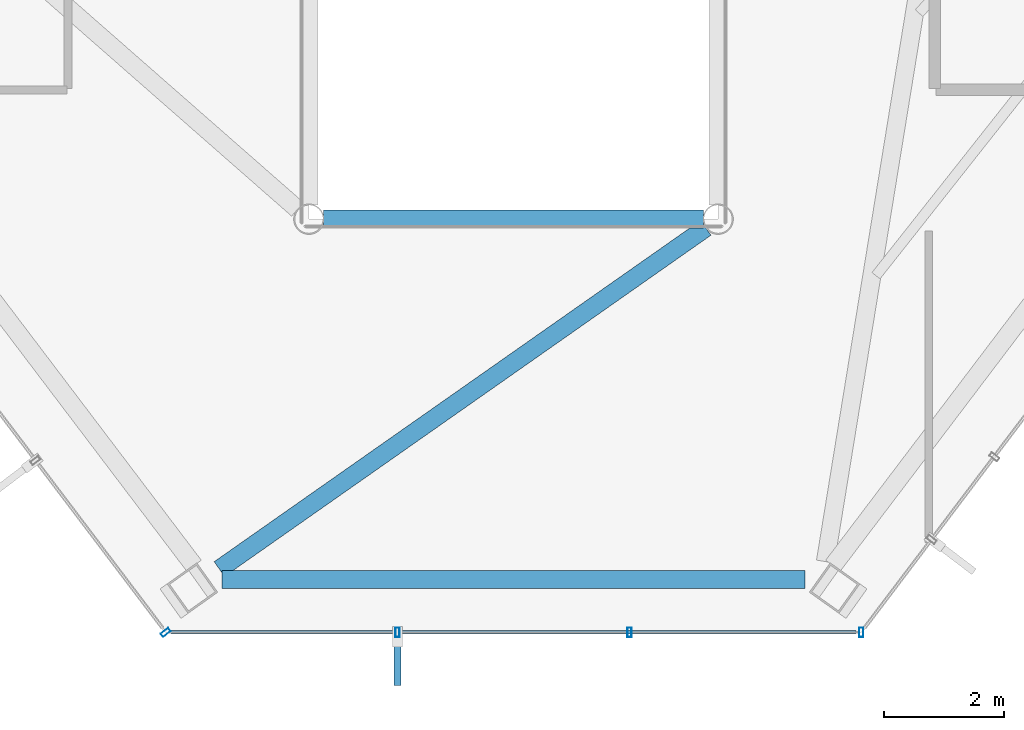
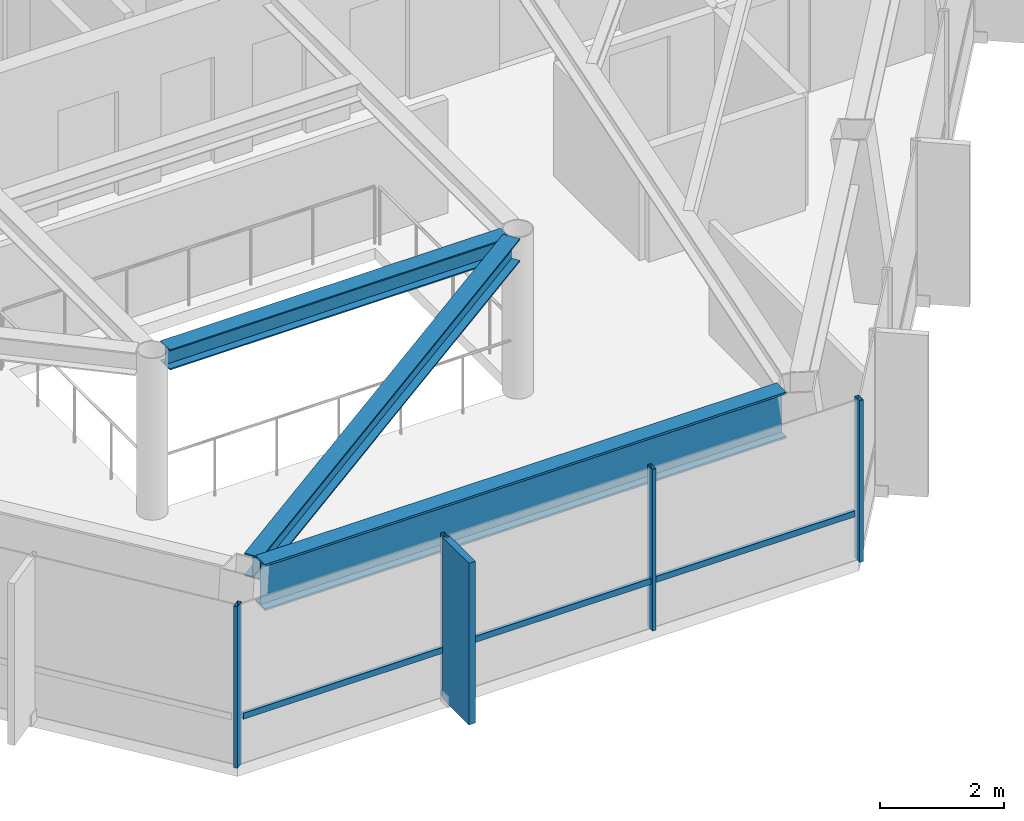
# One storey, part 7 of 27: 6 members, 3 beams, 2 elements without a shape of their own.
"""IFC4 building model written with IfcOpenShell, lengths in metres."""

from ifc_helpers import new_model, si_unit, direction, frame, origin, origin_2d, place, context, subcontext, project, spatial, rectangle, hollow_rectangle, i_section, extrude, material, layer, layer_set, material_profile, profile_set, type_object, element, aggregate, save


model = new_model("IFC4")

# Units and contexts
model_context = context("Model", 3, precision=1e-05, world=origin(), true_north=direction((0.0, 1.0)))
body_context = subcontext(model_context, "Body", "Model", "MODEL_VIEW")
ifc_project = project(units=[si_unit("LENGTHUNIT", "METRE"), si_unit("AREAUNIT", "SQUARE_METRE"), si_unit("VOLUMEUNIT", "CUBIC_METRE"), si_unit("PLANEANGLEUNIT", "RADIAN"), si_unit("MASSUNIT", "GRAM", prefix="KILO")], contexts=[model_context])

# Site, building, storey
site_placement = place(None, origin())
site = spatial("IfcSite", under=ifc_project, at=site_placement, CompositionType="ELEMENT")
building_placement = place(site_placement, origin())
building = spatial("IfcBuilding", under=site, at=building_placement, Name="Zarrinselat Tower", CompositionType="ELEMENT")
storey_placement = place(building_placement, frame((0.0, 0.0, 235.9599609375)))
storey = spatial("IfcBuildingStorey", under=building, at=storey_placement, Name="L59", CompositionType="ELEMENT", Elevation=235.9599609375)

# Beams
ifc_material_1 = material(Name="Steel S355J2", Category="steel")
ifc_material_profile_1 = material_profile(ifc_material_1, i_section(OverallWidth=0.300048828125, OverallDepth=0.39990234375, WebThickness=0.013427734375, FlangeThickness=0.02392578125, at=origin_2d()), Name="HEB 400")
ifc_profile_set_1 = profile_set([ifc_material_profile_1], Name="Steel S355J2")
beam_type_1 = type_object("IfcBeamType", Name="BM-HEB400", PredefinedType="BEAM", material=ifc_profile_set_1)
beam_1_placement = place(storey_placement, frame((35.239990234375, 25.199951171875, 2.97998046875), z_axis=(1.0, 0.0, 0.0), x_axis=(0.0, 1.0, 0.0)))
element("IfcBeam", 1, at=beam_1_placement, inside=storey, type_object=beam_type_1, Name="L59 Atrium Edge Beam S", PredefinedType="BEAM", context=body_context, shape_type="SweptSolid", body=[
    extrude(i_section(OverallWidth=0.300048828125, OverallDepth=0.39990234375, WebThickness=0.013427734375, FlangeThickness=0.02392578125, at=origin_2d()), origin(), (0.0, 0.0, 1.0), 6.320068359375),
])
ifc_material_2 = material(Name="Steel S355J2", Category="steel")
ifc_material_profile_2 = material_profile(ifc_material_2, i_section(OverallWidth=0.300048828125, OverallDepth=0.449951171875, WebThickness=0.013916015625, FlangeThickness=0.02587890625, at=origin_2d()), Name="HEB 450")
ifc_profile_set_2 = profile_set([ifc_material_profile_2], Name="Steel S355J2")
beam_type_2 = type_object("IfcBeamType", Name="BM-HEB450", PredefinedType="BEAM", material=ifc_profile_set_2)
beam_2_placement = place(storey_placement, frame((33.511962890625, 19.385986328125, 2.955078125), z_axis=(0.818654177418, 0.574286807959, 0.0), x_axis=(-0.574286807959, 0.818654177418, 0.0)))
element("IfcBeam", 2, at=beam_2_placement, inside=storey, type_object=beam_type_2, Name="L59 Radial Primary Girder RG10", PredefinedType="BEAM", context=body_context, shape_type="SweptSolid", body=[
    extrude(i_section(OverallWidth=0.300048828125, OverallDepth=0.449951171875, WebThickness=0.013916015625, FlangeThickness=0.02587890625, at=origin_2d()), origin(), (0.0, 0.0, 1.0), 9.873779296875),
])
ifc_material_3 = material(Name="Steel S460M", Category="steel")
ifc_material_profile_3 = material_profile(ifc_material_3, i_section(OverallWidth=0.302001953125, OverallDepth=0.909912109375, WebThickness=0.02099609375, FlangeThickness=0.0400390625, at=origin_2d()), Name="HEM 900")
ifc_profile_set_3 = profile_set([ifc_material_profile_3], Name="Steel S460M")
beam_type_3 = type_object("IfcBeamType", Name="BM-HEM900", PredefinedType="BEAM", material=ifc_profile_set_3)
beam_3_placement = place(storey_placement, frame((33.552734375, 19.212646484375, 2.72509765625), z_axis=(1.0, 0.0, 0.0), x_axis=(0.0, 1.0, 0.0)))
element("IfcBeam", 3, at=beam_3_placement, inside=storey, type_object=beam_type_3, Name="L59 Perimeter Spandrel Girder SP10", PredefinedType="BEAM", context=body_context, shape_type="SweptSolid", body=[
    extrude(i_section(OverallWidth=0.302001953125, OverallDepth=0.909912109375, WebThickness=0.02099609375, FlangeThickness=0.0400390625, at=origin_2d()), origin(), (0.0, 0.0, 1.0), 9.694580078125),
])

# Curtain wall, member
ifc_material_4 = material(Name="Extruded Aluminium Alloy EN AW-6063 T6", Category="aluminium")
ifc_layer = layer(ifc_material_4, 0.169921875)
ifc_layer_set = layer_set([ifc_layer], Name="Extruded Aluminium Alloy EN AW-6063 T6")
curtain_wall_type = type_object("IfcCurtainWallType", Name="CWS-RES", PredefinedType="NOTDEFINED", material=ifc_layer_set)
curtain_wall_1_placement = place(storey_placement, origin())
curtain_wall_1 = element("IfcCurtainWall", 4, at=curtain_wall_1_placement, inside=storey, type_object=curtain_wall_type, Name="L59 Unitised Curtain Wall CW-L59-E03", PredefinedType="NOTDEFINED")
ifc_material_5 = material(Name="Extruded Aluminium Alloy EN AW-6063 T6", Category="aluminium")
ifc_material_profile_4 = material_profile(ifc_material_5, hollow_rectangle(XDim=0.070068359375, YDim=0.159912109375, WallThickness=0.00390625, at=origin_2d()), Name="RHS 160x70x4")
ifc_profile_set_4 = profile_set([ifc_material_profile_4], Name="Extruded Aluminium Alloy EN AW-6063 T6")
member_type_1 = type_object("IfcMemberType", Name="MEM-CW-MUL2", PredefinedType="MULLION", material=ifc_profile_set_4)
member_1_placement = place(storey_placement, frame((32.6201171875, 18.333984375, 0.0), z_axis=(0.0, 0.0, 1.0), x_axis=(0.603857419315, -0.7970923517, 0.0)))
member_1 = element("IfcMember", 5, at=member_1_placement, type_object=member_type_1, Name="CW-L59-E03 Mullion 8", PredefinedType="MULLION", context=body_context, shape_type="SweptSolid", body=[
    extrude(hollow_rectangle(XDim=0.070068359375, YDim=0.159912109375, WallThickness=0.00390625, at=origin_2d()), origin(), (0.0, 0.0, 1.0), 3.179931640625),
])
aggregate(curtain_wall_1, [member_1])

# Curtain wall, members
curtain_wall_2_placement = place(storey_placement, origin())
curtain_wall_2 = element("IfcCurtainWall", 6, at=curtain_wall_2_placement, inside=storey, type_object=curtain_wall_type, Name="L59 Unitised Curtain Wall CW-L59-E04", PredefinedType="NOTDEFINED")
member_2_placement = place(storey_placement, frame((36.473388671875, 18.333984375, 0.0), z_axis=(0.0, 0.0, 1.0), x_axis=(1.0, 0.0, 0.0)))
member_2 = element("IfcMember", 7, at=member_2_placement, type_object=member_type_1, Name="CW-L59-E04 Mullion 1", PredefinedType="MULLION", context=body_context, shape_type="SweptSolid", body=[
    extrude(hollow_rectangle(XDim=0.070068359375, YDim=0.159912109375, WallThickness=0.00390625, at=origin_2d()), origin(), (0.0, 0.0, 1.0), 3.179931640625),
])
member_3_placement = place(storey_placement, frame((40.32666015625, 18.333984375, 0.0), z_axis=(0.0, 0.0, 1.0), x_axis=(1.0, 0.0, 0.0)))
member_3 = element("IfcMember", 8, at=member_3_placement, type_object=member_type_1, Name="CW-L59-E04 Mullion 2", PredefinedType="MULLION", context=body_context, shape_type="SweptSolid", body=[
    extrude(hollow_rectangle(XDim=0.070068359375, YDim=0.159912109375, WallThickness=0.00390625, at=origin_2d()), origin(), (0.0, 0.0, 1.0), 3.179931640625),
])
member_4_placement = place(storey_placement, frame((44.179931640625, 18.333984375, 0.0), z_axis=(0.0, 0.0, 1.0), x_axis=(1.0, 0.0, 0.0)))
member_4 = element("IfcMember", 9, at=member_4_placement, type_object=member_type_1, Name="CW-L59-E04 Mullion 3", PredefinedType="MULLION", context=body_context, shape_type="SweptSolid", body=[
    extrude(hollow_rectangle(XDim=0.070068359375, YDim=0.159912109375, WallThickness=0.00390625, at=origin_2d()), origin(), (0.0, 0.0, 1.0), 3.179931640625),
])
ifc_material_6 = material(Name="Extruded Aluminium Alloy EN AW-6063 T6", Category="aluminium")
ifc_material_profile_5 = material_profile(ifc_material_6, hollow_rectangle(XDim=0.06005859375, YDim=0.1201171875, WallThickness=0.00390625, at=origin_2d()), Name="RHS 120x60x4")
ifc_profile_set_5 = profile_set([ifc_material_profile_5], Name="Extruded Aluminium Alloy EN AW-6063 T6")
member_type_2 = type_object("IfcMemberType", Name="MEM-CW-TRN2", PredefinedType="USERDEFINED", material=ifc_profile_set_5)
member_5_placement = place(storey_placement, frame((32.7099609375, 18.333984375, 0.949951171875), z_axis=(1.0, 0.0, 0.0), x_axis=(0.0, 1.0, 0.0)))
member_5 = element("IfcMember", 10, at=member_5_placement, type_object=member_type_2, Name="CW-L59-E04 Transom 1", ObjectType="TRANSOM", PredefinedType="USERDEFINED", context=body_context, shape_type="SweptSolid", body=[
    extrude(hollow_rectangle(XDim=0.06005859375, YDim=0.1201171875, WallThickness=0.00390625, at=origin_2d()), origin(), (0.0, 0.0, 1.0), 11.380126953125),
])
ifc_material_7 = material(Name="Honed Cream Travertine Stone", Category="masonry")
ifc_material_profile_6 = material_profile(ifc_material_7, rectangle(XDim=0.1201171875, YDim=0.85009765625, at=origin_2d()), Name="FIN 850x120")
ifc_profile_set_6 = profile_set([ifc_material_profile_6], Name="Honed Cream Travertine Stone")
member_type_3 = type_object("IfcMemberType", Name="MEM-STONE-FIN", PredefinedType="USERDEFINED", material=ifc_profile_set_6)
member_6_placement = place(storey_placement, frame((36.473388671875, 17.8740234375, 0.0), z_axis=(0.0, 0.0, 1.0), x_axis=(-1.0, 0.0, 0.0)))
member_6 = element("IfcMember", 11, at=member_6_placement, type_object=member_type_3, Name="L59 Stone Shading Fin CW-L59-E04-01", ObjectType="FIN", PredefinedType="USERDEFINED", context=body_context, shape_type="SweptSolid", body=[
    extrude(rectangle(XDim=0.1201171875, YDim=0.85009765625, at=origin_2d()), origin(), (0.0, 0.0, 1.0), 3.179931640625),
])
aggregate(curtain_wall_2, [member_2, member_6, member_3, member_4, member_5])

save(model, "model.ifc")
